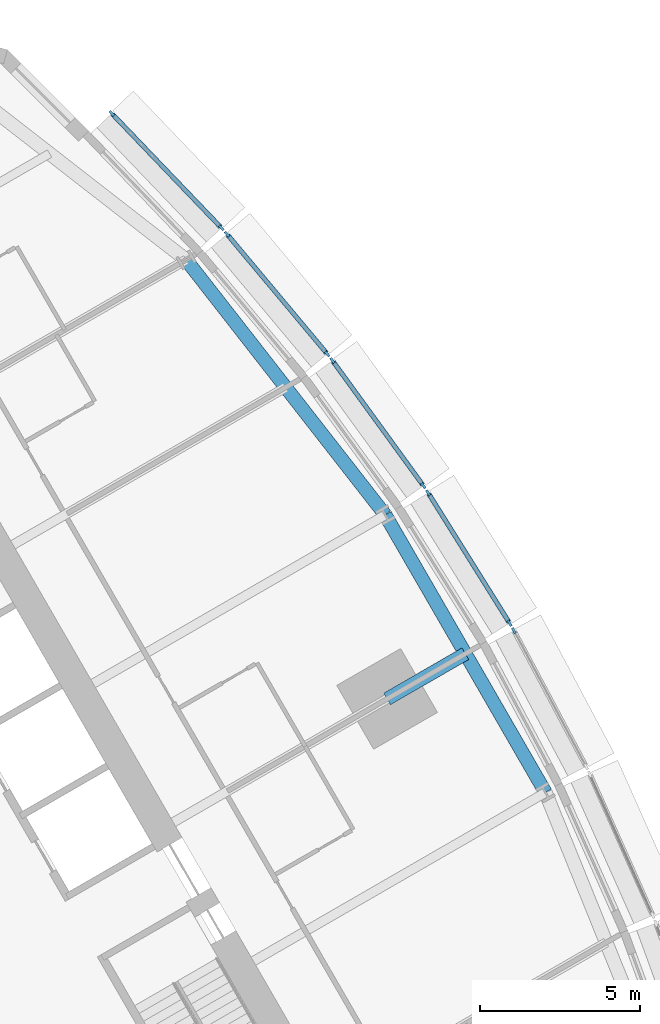
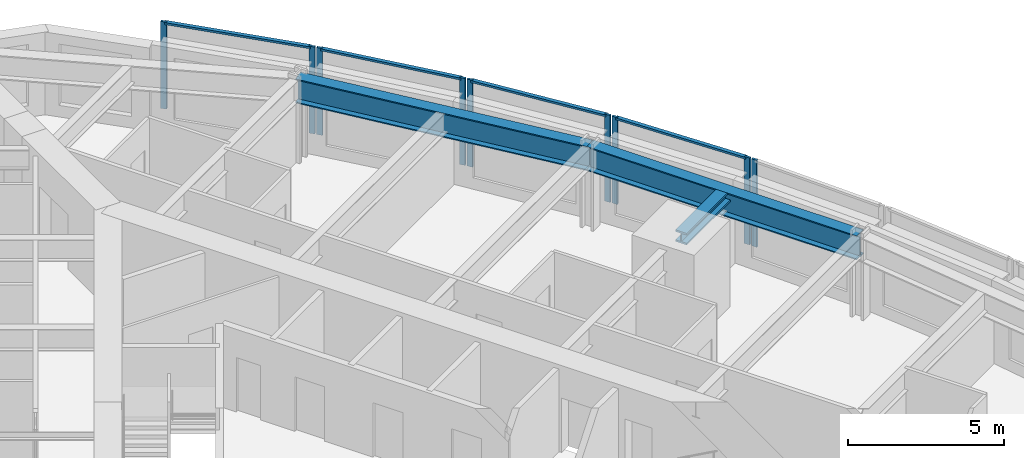
# One storey, part 5 of 14: 13 members, 3 beams, 5 elements without a shape of their own.
"""IFC4 building model written with IfcOpenShell, lengths in metres."""

from ifc_helpers import new_model, si_unit, direction, frame, origin, origin_2d, place, context, subcontext, project, spatial, rectangle, i_section, extrude, material, material_profile, profile_set, type_object, element, aggregate, save


model = new_model("IFC4")

# Units and contexts
model_context = context("Model", 3, precision=1e-05, world=origin(), true_north=direction((0.0, 1.0)))
body_context = subcontext(model_context, "Body", "Model", "MODEL_VIEW")
ifc_project = project(units=[si_unit("LENGTHUNIT", "METRE"), si_unit("AREAUNIT", "SQUARE_METRE"), si_unit("VOLUMEUNIT", "CUBIC_METRE"), si_unit("PLANEANGLEUNIT", "RADIAN"), si_unit("MASSUNIT", "GRAM", prefix="KILO")], contexts=[model_context])

# Site, building, storey
site_placement = place(None, origin())
site = spatial("IfcSite", under=ifc_project, at=site_placement, CompositionType="ELEMENT")
building_placement = place(site_placement, origin())
building = spatial("IfcBuilding", under=site, at=building_placement, Name="Trikona Tower", CompositionType="ELEMENT")
storey_placement = place(building_placement, frame((0.0, 0.0, 162.300048828125)))
storey = spatial("IfcBuildingStorey", under=building, at=storey_placement, Name="L43", CompositionType="ELEMENT", Elevation=162.300048828125)

# Curtain wall, member
ifc_material_1 = material(Name="Aluminium curtain wall system", Category="aluminium")
curtain_wall_type = type_object("IfcCurtainWallType", Name="Curtain wall DS2", PredefinedType="NOTDEFINED", material=ifc_material_1)
curtain_wall_1_placement = place(storey_placement, origin())
curtain_wall_1 = element("IfcCurtainWall", 1, at=curtain_wall_1_placement, inside=storey, type_object=curtain_wall_type, Name="Curtain wall DS2 L43", PredefinedType="NOTDEFINED")
ifc_material_2 = material(Name="Aluminium mullion, pale anodised", Category="aluminium")
ifc_material_profile_1 = material_profile(ifc_material_2, rectangle(XDim=0.080078125, YDim=0.199951171875, at=origin_2d()), Name="MUL-DS2")
ifc_profile_set_1 = profile_set([ifc_material_profile_1], Name="Aluminium mullion, pale anodised")
member_type_1 = type_object("IfcMemberType", Name="Mullion DS2 80x200", PredefinedType="MULLION", material=ifc_profile_set_1)
member_1_placement = place(storey_placement, frame((19.2666015625, 10.9716796875, 0.0), z_axis=(0.0, 0.0, 1.0), x_axis=(-0.882996107343, -0.469380308937, 0.0)))
member_1 = element("IfcMember", 2, at=member_1_placement, type_object=member_type_1, Name="CW-DS2 mullion 2", PredefinedType="MULLION", context=body_context, shape_type="SweptSolid", body=[
    extrude(rectangle(XDim=0.080078125, YDim=0.199951171875, at=origin_2d()), origin(), (0.0, 0.0, 1.0), 3.39990234375),
])
aggregate(curtain_wall_1, [member_1])

# Curtain wall, members
curtain_wall_2_placement = place(storey_placement, origin())
curtain_wall_2 = element("IfcCurtainWall", 3, at=curtain_wall_2_placement, inside=storey, type_object=curtain_wall_type, Name="Curtain wall DS2 L43", PredefinedType="NOTDEFINED")
member_2_placement = place(storey_placement, frame((19.135009765625, 11.199462890625, 0.0), z_axis=(0.0, 0.0, 1.0), x_axis=(-0.847998304006, -0.529998940002, 0.0)))
member_2 = element("IfcMember", 4, at=member_2_placement, type_object=member_type_1, Name="CW-DS2 mullion 1", PredefinedType="MULLION", context=body_context, shape_type="SweptSolid", body=[
    extrude(rectangle(XDim=0.080078125, YDim=0.199951171875, at=origin_2d()), origin(), (0.0, 0.0, 1.0), 3.39990234375),
])
member_3_placement = place(storey_placement, frame((16.589599609375, 15.2724609375, 0.0), z_axis=(0.0, 0.0, 1.0), x_axis=(-0.847998304006, -0.529998940002, 0.0)))
member_3 = element("IfcMember", 5, at=member_3_placement, type_object=member_type_1, Name="CW-DS2 mullion 2", PredefinedType="MULLION", context=body_context, shape_type="SweptSolid", body=[
    extrude(rectangle(XDim=0.080078125, YDim=0.199951171875, at=origin_2d()), origin(), (0.0, 0.0, 1.0), 3.39990234375),
])

curtain_wall_3_placement = place(storey_placement, origin())
curtain_wall_3 = element("IfcCurtainWall", 6, at=curtain_wall_3_placement, inside=storey, type_object=curtain_wall_type, Name="Curtain wall DS2 L43", PredefinedType="NOTDEFINED")
member_4_placement = place(storey_placement, frame((16.442626953125, 15.489990234375, 0.0), z_axis=(0.0, 0.0, 1.0), x_axis=(-0.80908576332, -0.587690588313, 0.0)))
member_4 = element("IfcMember", 7, at=member_4_placement, type_object=member_type_1, Name="CW-DS2 mullion 1", PredefinedType="MULLION", context=body_context, shape_type="SweptSolid", body=[
    extrude(rectangle(XDim=0.080078125, YDim=0.199951171875, at=origin_2d()), origin(), (0.0, 0.0, 1.0), 3.39990234375),
])
member_5_placement = place(storey_placement, frame((13.605712890625, 19.39599609375, 0.0), z_axis=(0.0, 0.0, 1.0), x_axis=(-0.80908576332, -0.587690588313, 0.0)))
member_5 = element("IfcMember", 8, at=member_5_placement, type_object=member_type_1, Name="CW-DS2 mullion 2", PredefinedType="MULLION", context=body_context, shape_type="SweptSolid", body=[
    extrude(rectangle(XDim=0.080078125, YDim=0.199951171875, at=origin_2d()), origin(), (0.0, 0.0, 1.0), 3.39990234375),
])

curtain_wall_4_placement = place(storey_placement, origin())
curtain_wall_4 = element("IfcCurtainWall", 9, at=curtain_wall_4_placement, inside=storey, type_object=curtain_wall_type, Name="Curtain wall DS2 L43", PredefinedType="NOTDEFINED")
member_6_placement = place(storey_placement, frame((13.44482421875, 19.602294921875, 0.0), z_axis=(0.0, 0.0, 1.0), x_axis=(-0.766866678271, -0.641806433248, 0.0)))
member_6 = element("IfcMember", 10, at=member_6_placement, type_object=member_type_1, Name="CW-DS2 mullion 1", PredefinedType="MULLION", context=body_context, shape_type="SweptSolid", body=[
    extrude(rectangle(XDim=0.080078125, YDim=0.199951171875, at=origin_2d()), origin(), (0.0, 0.0, 1.0), 3.39990234375),
])
member_7_placement = place(storey_placement, frame((10.315185546875, 23.34130859375, 0.0), z_axis=(0.0, 0.0, 1.0), x_axis=(-0.766866678271, -0.641806433248, 0.0)))
member_7 = element("IfcMember", 11, at=member_7_placement, type_object=member_type_1, Name="CW-DS2 mullion 2", PredefinedType="MULLION", context=body_context, shape_type="SweptSolid", body=[
    extrude(rectangle(XDim=0.080078125, YDim=0.199951171875, at=origin_2d()), origin(), (0.0, 0.0, 1.0), 3.39990234375),
])

curtain_wall_5_placement = place(storey_placement, origin())
curtain_wall_5 = element("IfcCurtainWall", 12, at=curtain_wall_5_placement, inside=storey, type_object=curtain_wall_type, Name="Curtain wall DS2 L43", PredefinedType="NOTDEFINED")
member_8_placement = place(storey_placement, frame((10.1416015625, 23.535400390625, 0.0), z_axis=(0.0, 0.0, 1.0), x_axis=(-0.722158330767, -0.691727797117, 0.0)))
member_8 = element("IfcMember", 13, at=member_8_placement, type_object=member_type_1, Name="CW-DS2 mullion 1", PredefinedType="MULLION", context=body_context, shape_type="SweptSolid", body=[
    extrude(rectangle(XDim=0.080078125, YDim=0.199951171875, at=origin_2d()), origin(), (0.0, 0.0, 1.0), 3.39990234375),
])
member_9_placement = place(storey_placement, frame((6.718994140625, 27.1083984375, 0.0), z_axis=(0.0, 0.0, 1.0), x_axis=(-0.722158330767, -0.691727797117, 0.0)))
member_9 = element("IfcMember", 14, at=member_9_placement, type_object=member_type_1, Name="CW-DS2 mullion 2", PredefinedType="MULLION", context=body_context, shape_type="SweptSolid", body=[
    extrude(rectangle(XDim=0.080078125, YDim=0.199951171875, at=origin_2d()), origin(), (0.0, 0.0, 1.0), 3.39990234375),
])

# Beams
ifc_material_3 = material(Name="Steel ASTM A992 Grade 50", Category="steel")
ifc_material_profile_2 = material_profile(ifc_material_3, i_section(OverallWidth=0.419189453125, OverallDepth=0.45458984375, WebThickness=0.042236328125, FlangeThickness=0.067626953125, at=origin_2d()), Name="W14X370")
ifc_profile_set_2 = profile_set([ifc_material_profile_2], Name="Steel ASTM A992 Grade 50")
beam_type_1 = type_object("IfcBeamType", Name="Steel beam W14x370 (apex bracket)", PredefinedType="BEAM", material=ifc_profile_set_2)
beam_1_placement = place(storey_placement, frame((15.311767578125, 8.84033203125, 3.007568359375), z_axis=(0.86605005072, 0.499957307824, 0.0), x_axis=(-0.499957307824, 0.86605005072, 0.0)))
element("IfcBeam", 15, at=beam_1_placement, inside=storey, type_object=beam_type_1, Name="Cantilever bracket L44 F2", PredefinedType="BEAM", context=body_context, shape_type="SweptSolid", body=[
    extrude(i_section(OverallWidth=0.419189453125, OverallDepth=0.45458984375, WebThickness=0.042236328125, FlangeThickness=0.067626953125, at=origin_2d()), origin(), (0.0, 0.0, 1.0), 2.819580078125),
])
ifc_material_4 = material(Name="Steel ASTM A992 Grade 50", Category="steel")
ifc_material_profile_3 = material_profile(ifc_material_4, i_section(OverallWidth=0.424072265625, OverallDepth=0.947509765625, WebThickness=0.02392578125, FlangeThickness=0.042724609375, at=origin_2d()), Name="W36X302")
ifc_profile_set_3 = profile_set([ifc_material_profile_3], Name="Steel ASTM A992 Grade 50")
beam_type_2 = type_object("IfcBeamType", Name="Steel beam W36x302 (spandrel)", PredefinedType="SPANDREL", material=ifc_profile_set_3)
beam_2_placement = place(storey_placement, frame((20.253662109375, 5.919921875, 2.76123046875), z_axis=(-0.500004234368, 0.866022959057, 0.0), x_axis=(-0.866022959057, -0.500004234368, 0.0)))
element("IfcBeam", 16, at=beam_2_placement, inside=storey, type_object=beam_type_2, Name="Spandrel beam L44 F2-3", PredefinedType="SPANDREL", context=body_context, shape_type="SweptSolid", body=[
    extrude(i_section(OverallWidth=0.424072265625, OverallDepth=0.947509765625, WebThickness=0.02392578125, FlangeThickness=0.042724609375, at=origin_2d()), origin(), (0.0, 0.0, 1.0), 10.0),
])
beam_3_placement = place(storey_placement, frame((15.253662109375, 14.580078125, 2.76123046875), z_axis=(-0.615232009054, 0.788346101046, 0.0), x_axis=(-0.788346101046, -0.615232009054, 0.0)))
element("IfcBeam", 17, at=beam_3_placement, inside=storey, type_object=beam_type_2, Name="Spandrel beam L44 F2-4", PredefinedType="SPANDREL", context=body_context, shape_type="SweptSolid", body=[
    extrude(i_section(OverallWidth=0.424072265625, OverallDepth=0.947509765625, WebThickness=0.02392578125, FlangeThickness=0.042724609375, at=origin_2d()), origin(), (0.0, 0.0, 1.0), 10.09765625),
])

# Member
ifc_material_5 = material(Name="Aluminium transom, pale anodised", Category="aluminium")
ifc_material_profile_4 = material_profile(ifc_material_5, rectangle(XDim=0.139892578125, YDim=0.080078125, at=origin_2d()), Name="TRN-DS2")
ifc_profile_set_4 = profile_set([ifc_material_profile_4], Name="Aluminium transom, pale anodised")
member_type_2 = type_object("IfcMemberType", Name="Transom DS2 80x140", PredefinedType="USERDEFINED", material=ifc_profile_set_4)
member_10_placement = place(storey_placement, frame((19.114013671875, 11.2333984375, 3.35986328125), z_axis=(-0.530031463794, 0.847977975769, 0.0), x_axis=(-0.847977975769, -0.530031463794, 0.0)))
member_10 = element("IfcMember", 18, at=member_10_placement, type_object=member_type_2, Name="CW-DS2 transom 1.1", ObjectType="TRANSOM", PredefinedType="USERDEFINED", context=body_context, shape_type="SweptSolid", body=[
    extrude(rectangle(XDim=0.139892578125, YDim=0.080078125, at=origin_2d()), origin(), (0.0, 0.0, 1.0), 4.72314453125),
])

aggregate(curtain_wall_2, [member_2, member_3, member_10])

member_11_placement = place(storey_placement, frame((16.419189453125, 15.5224609375, 3.35986328125), z_axis=(-0.587694585883, 0.809082859616, 0.0), x_axis=(-0.809082859616, -0.587694585883, 0.0)))
member_11 = element("IfcMember", 19, at=member_11_placement, type_object=member_type_2, Name="CW-DS2 transom 1.1", ObjectType="TRANSOM", PredefinedType="USERDEFINED", context=body_context, shape_type="SweptSolid", body=[
    extrude(rectangle(XDim=0.139892578125, YDim=0.080078125, at=origin_2d()), origin(), (0.0, 0.0, 1.0), 4.747314453125),
])

aggregate(curtain_wall_3, [member_4, member_5, member_11])

member_12_placement = place(storey_placement, frame((13.4189453125, 19.6328125, 3.35986328125), z_axis=(-0.641770294892, 0.766896921753, 0.0), x_axis=(-0.766896921753, -0.641770294892, 0.0)))
member_12 = element("IfcMember", 20, at=member_12_placement, type_object=member_type_2, Name="CW-DS2 transom 1.1", ObjectType="TRANSOM", PredefinedType="USERDEFINED", context=body_context, shape_type="SweptSolid", body=[
    extrude(rectangle(XDim=0.139892578125, YDim=0.080078125, at=origin_2d()), origin(), (0.0, 0.0, 1.0), 4.7958984375),
])

aggregate(curtain_wall_4, [member_6, member_7, member_12])

member_13_placement = place(storey_placement, frame((10.114013671875, 23.564208984375, 3.35986328125), z_axis=(-0.691721246785, 0.722164605022, 0.0), x_axis=(-0.722164605022, -0.691721246785, 0.0)))
member_13 = element("IfcMember", 21, at=member_13_placement, type_object=member_type_2, Name="CW-DS2 transom 1.1", ObjectType="TRANSOM", PredefinedType="USERDEFINED", context=body_context, shape_type="SweptSolid", body=[
    extrude(rectangle(XDim=0.139892578125, YDim=0.080078125, at=origin_2d()), origin(), (0.0, 0.0, 1.0), 4.867919921875),
])

aggregate(curtain_wall_5, [member_8, member_9, member_13])

save(model, "model.ifc")
